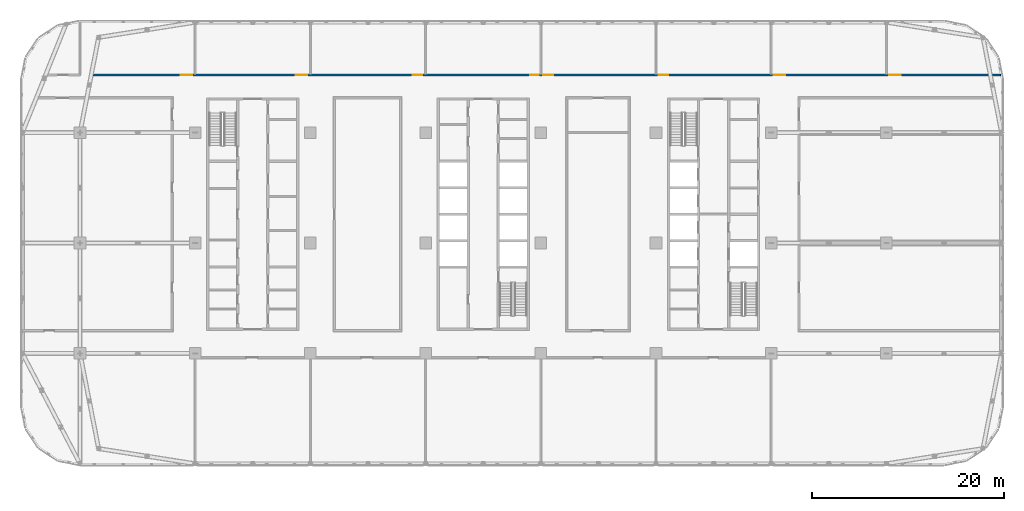
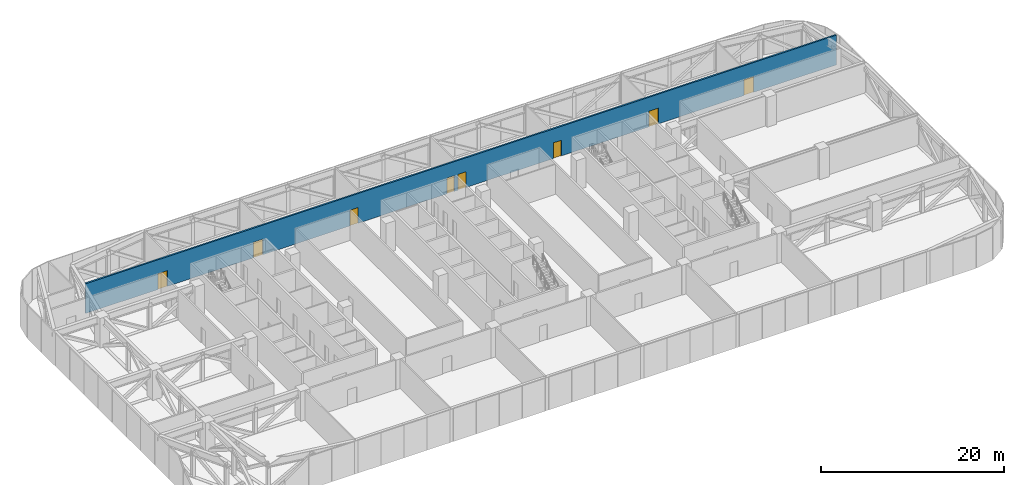
# One storey, part 11 of 26: 8 doors, 1 wall, 8 openings.
"""IFC4 building model written with IfcOpenShell, lengths in metres."""

from ifc_helpers import new_model, si_unit, direction, frame, frame_2d, origin, place, context, subcontext, project, spatial, rectangle, extrude, material, layer, layer_set, type_object, element, fill, save


model = new_model("IFC4")

# Units and contexts
model_context = context("Model", 3, precision=1e-05, world=origin(), true_north=direction((0.0, 1.0)))
body_context = subcontext(model_context, "Body", "Model", "MODEL_VIEW")
ifc_project = project(units=[si_unit("LENGTHUNIT", "METRE"), si_unit("AREAUNIT", "SQUARE_METRE"), si_unit("VOLUMEUNIT", "CUBIC_METRE"), si_unit("PLANEANGLEUNIT", "RADIAN"), si_unit("MASSUNIT", "GRAM", prefix="KILO")], contexts=[model_context])

# Site, building, storey
site_placement = place(None, origin())
site = spatial("IfcSite", under=ifc_project, at=site_placement, CompositionType="ELEMENT")
building_placement = place(site_placement, origin())
building = spatial("IfcBuilding", under=site, at=building_placement, Name="Mahtab Terrace Research Tower", CompositionType="ELEMENT")
storey_placement = place(building_placement, frame((0.0, 0.0, 189.60009765625)))
storey = spatial("IfcBuildingStorey", under=building, at=storey_placement, Name="L45", CompositionType="ELEMENT", Elevation=189.60009765625)

# Wall, openings, doors
ifc_material_1 = material(Name="Gypsum board corridor wall on steel studs", Category="steel")
ifc_layer = layer(ifc_material_1, 0.199951171875)
ifc_layer_set = layer_set([ifc_layer], Name="WALL CORRIDOR 200")
wall_type = type_object("IfcWallType", Name="WALL CORRIDOR 200", PredefinedType="PARTITIONING", material=ifc_layer_set)
wall_placement = place(storey_placement, frame((-40.62353515625, 17.5, 0.0), z_axis=(0.0, 0.0, 1.0), x_axis=(1.0, 0.0, 0.0)))
wall = element("IfcWall", 1, at=wall_placement, inside=storey, type_object=wall_type, Name="L45-W024", PredefinedType="PARTITIONING", context=body_context, shape_type="SweptSolid", body=[
    extrude(rectangle(XDim=94.52392578125, YDim=0.199951171875, at=frame_2d((47.261962890625, 0.0))), origin(), (0.0, 0.0, 1.0), 3.9599609375),
])
opening_1_placement = place(wall_placement, frame((9.10009765625, 0.0, 0.0)))
opening_1 = element("IfcOpeningElement", 2, at=opening_1_placement, cuts=wall, Name="Opening L45-118", PredefinedType="OPENING", context=body_context, shape_type="SweptSolid", body=[
    extrude(rectangle(XDim=1.199951171875, YDim=2.10009765625, at=frame_2d((0.60009765625, 1.050048828125))), frame((0.0, 0.10986328125, 0.0), z_axis=(0.0, -1.0, 0.0), x_axis=(1.0, 0.0, 0.0)), (0.0, 0.0, 1.0), 0.219970703125),
])
opening_2_placement = place(wall_placement, frame((21.10009765625, 0.0, 0.0)))
opening_2 = element("IfcOpeningElement", 3, at=opening_2_placement, cuts=wall, Name="Opening L45-119", PredefinedType="OPENING", context=body_context, shape_type="SweptSolid", body=[
    extrude(rectangle(XDim=1.199951171875, YDim=2.10009765625, at=frame_2d((0.60009765625, 1.050048828125))), frame((0.0, 0.10986328125, 0.0), z_axis=(0.0, -1.0, 0.0), x_axis=(1.0, 0.0, 0.0)), (0.0, 0.0, 1.0), 0.219970703125),
])
opening_3_placement = place(wall_placement, frame((33.300048828125, 0.0, 0.0)))
opening_3 = element("IfcOpeningElement", 4, at=opening_3_placement, cuts=wall, Name="Opening L45-120", PredefinedType="OPENING", context=body_context, shape_type="SweptSolid", body=[
    extrude(rectangle(XDim=1.0, YDim=2.10009765625, at=frame_2d((0.5, 1.050048828125))), frame((0.0, 0.10986328125, 0.0), z_axis=(0.0, -1.0, 0.0), x_axis=(1.0, 0.0, 0.0)), (0.0, 0.0, 1.0), 0.219970703125),
])
opening_4_placement = place(wall_placement, frame((45.5, 0.0, 0.0)))
opening_4 = element("IfcOpeningElement", 5, at=opening_4_placement, cuts=wall, Name="Opening L45-121", PredefinedType="OPENING", context=body_context, shape_type="SweptSolid", body=[
    extrude(rectangle(XDim=0.89990234375, YDim=2.10009765625, at=frame_2d((0.449951171875, 1.050048828125))), frame((0.0, 0.10986328125, 0.0), z_axis=(0.0, -1.0, 0.0), x_axis=(1.0, 0.0, 0.0)), (0.0, 0.0, 1.0), 0.219970703125),
])
opening_5_placement = place(wall_placement, frame((46.89990234375, 0.0, 0.0)))
opening_5 = element("IfcOpeningElement", 6, at=opening_5_placement, cuts=wall, Name="Opening L45-122", PredefinedType="OPENING", context=body_context, shape_type="SweptSolid", body=[
    extrude(rectangle(XDim=1.0, YDim=2.10009765625, at=frame_2d((0.5, 1.050048828125))), frame((0.0, 0.10986328125, 0.0), z_axis=(0.0, -1.0, 0.0), x_axis=(1.0, 0.0, 0.0)), (0.0, 0.0, 1.0), 0.219970703125),
])
opening_6_placement = place(wall_placement, frame((58.89990234375, 0.0, 0.0)))
opening_6 = element("IfcOpeningElement", 7, at=opening_6_placement, cuts=wall, Name="Opening L45-123", PredefinedType="OPENING", context=body_context, shape_type="SweptSolid", body=[
    extrude(rectangle(XDim=1.0, YDim=2.10009765625, at=frame_2d((0.5, 1.050048828125))), frame((0.0, 0.10986328125, 0.0), z_axis=(0.0, -1.0, 0.0), x_axis=(1.0, 0.0, 0.0)), (0.0, 0.0, 1.0), 0.219970703125),
])
opening_7_placement = place(wall_placement, frame((70.89990234375, 0.0, 0.0)))
opening_7 = element("IfcOpeningElement", 8, at=opening_7_placement, cuts=wall, Name="Opening L45-124", PredefinedType="OPENING", context=body_context, shape_type="SweptSolid", body=[
    extrude(rectangle(XDim=1.199951171875, YDim=2.10009765625, at=frame_2d((0.60009765625, 1.050048828125))), frame((0.0, 0.10986328125, 0.0), z_axis=(0.0, -1.0, 0.0), x_axis=(1.0, 0.0, 0.0)), (0.0, 0.0, 1.0), 0.219970703125),
])
opening_8_placement = place(wall_placement, frame((82.89990234375, 0.0, 0.0)))
opening_8 = element("IfcOpeningElement", 9, at=opening_8_placement, cuts=wall, Name="Opening L45-125", PredefinedType="OPENING", context=body_context, shape_type="SweptSolid", body=[
    extrude(rectangle(XDim=1.199951171875, YDim=2.10009765625, at=frame_2d((0.60009765625, 1.050048828125))), frame((0.0, 0.10986328125, 0.0), z_axis=(0.0, -1.0, 0.0), x_axis=(1.0, 0.0, 0.0)), (0.0, 0.0, 1.0), 0.219970703125),
])
ifc_material_2 = material(Name="Timber door leaf in steel frame", Category="steel")
door_type_1 = type_object("IfcDoorType", Name="DOOR 0900X2100 FD30S", OperationType="SINGLE_SWING_LEFT", PredefinedType="DOOR", material=ifc_material_2)
door_1_placement = place(opening_4_placement, origin())
door_1 = element("IfcDoor", 10, at=door_1_placement, inside=storey, type_object=door_type_1, Name="Door L45-121", OperationType="SINGLE_SWING_LEFT", OverallHeight=2.10009765625, OverallWidth=0.89990234375, PredefinedType="DOOR", context=body_context, shape_type="SweptSolid", body=[
    extrude(rectangle(XDim=0.89990234375, YDim=2.10009765625, at=frame_2d((0.449951171875, 1.050048828125))), frame((0.0, 0.02490234375, 0.0), z_axis=(0.0, -1.0, 0.0), x_axis=(1.0, 0.0, 0.0)), (0.0, 0.0, 1.0), 0.050048828125),
])
fill(opening_4, door_1)
door_type_2 = type_object("IfcDoorType", Name="DOOR 1000X2100 FD30S", OperationType="SINGLE_SWING_LEFT", PredefinedType="DOOR", material=ifc_material_2)
door_2_placement = place(opening_3_placement, origin())
door_2 = element("IfcDoor", 11, at=door_2_placement, inside=storey, type_object=door_type_2, Name="Door L45-120", OperationType="SINGLE_SWING_LEFT", OverallHeight=2.10009765625, OverallWidth=1.0, PredefinedType="DOOR", context=body_context, shape_type="SweptSolid", body=[
    extrude(rectangle(XDim=1.0, YDim=2.10009765625, at=frame_2d((0.5, 1.050048828125))), frame((0.0, 0.02490234375, 0.0), z_axis=(0.0, -1.0, 0.0), x_axis=(1.0, 0.0, 0.0)), (0.0, 0.0, 1.0), 0.050048828125),
])
fill(opening_3, door_2)
door_3_placement = place(opening_5_placement, origin())
door_3 = element("IfcDoor", 12, at=door_3_placement, inside=storey, type_object=door_type_2, Name="Door L45-122", OperationType="SINGLE_SWING_RIGHT", OverallHeight=2.10009765625, OverallWidth=1.0, PredefinedType="DOOR", context=body_context, shape_type="SweptSolid", body=[
    extrude(rectangle(XDim=1.0, YDim=2.10009765625, at=frame_2d((0.5, 1.050048828125))), frame((0.0, 0.02490234375, 0.0), z_axis=(0.0, -1.0, 0.0), x_axis=(1.0, 0.0, 0.0)), (0.0, 0.0, 1.0), 0.050048828125),
])
fill(opening_5, door_3)
door_4_placement = place(opening_6_placement, origin())
door_4 = element("IfcDoor", 13, at=door_4_placement, inside=storey, type_object=door_type_2, Name="Door L45-123", OperationType="SINGLE_SWING_RIGHT", OverallHeight=2.10009765625, OverallWidth=1.0, PredefinedType="DOOR", context=body_context, shape_type="SweptSolid", body=[
    extrude(rectangle(XDim=1.0, YDim=2.10009765625, at=frame_2d((0.5, 1.050048828125))), frame((0.0, 0.02490234375, 0.0), z_axis=(0.0, -1.0, 0.0), x_axis=(1.0, 0.0, 0.0)), (0.0, 0.0, 1.0), 0.050048828125),
])
fill(opening_6, door_4)
door_type_3 = type_object("IfcDoorType", Name="DOOR 1200X2100 FD30S", OperationType="SINGLE_SWING_LEFT", PredefinedType="DOOR", material=ifc_material_2)
door_5_placement = place(opening_1_placement, origin())
door_5 = element("IfcDoor", 14, at=door_5_placement, inside=storey, type_object=door_type_3, Name="Door L45-118", OperationType="SINGLE_SWING_LEFT", OverallHeight=2.10009765625, OverallWidth=1.199951171875, PredefinedType="DOOR", context=body_context, shape_type="SweptSolid", body=[
    extrude(rectangle(XDim=1.199951171875, YDim=2.10009765625, at=frame_2d((0.60009765625, 1.050048828125))), frame((0.0, 0.02490234375, 0.0), z_axis=(0.0, -1.0, 0.0), x_axis=(1.0, 0.0, 0.0)), (0.0, 0.0, 1.0), 0.050048828125),
])
fill(opening_1, door_5)
door_6_placement = place(opening_2_placement, origin())
door_6 = element("IfcDoor", 15, at=door_6_placement, inside=storey, type_object=door_type_3, Name="Door L45-119", OperationType="SINGLE_SWING_LEFT", OverallHeight=2.10009765625, OverallWidth=1.199951171875, PredefinedType="DOOR", context=body_context, shape_type="SweptSolid", body=[
    extrude(rectangle(XDim=1.199951171875, YDim=2.10009765625, at=frame_2d((0.60009765625, 1.050048828125))), frame((0.0, 0.02490234375, 0.0), z_axis=(0.0, -1.0, 0.0), x_axis=(1.0, 0.0, 0.0)), (0.0, 0.0, 1.0), 0.050048828125),
])
fill(opening_2, door_6)
door_7_placement = place(opening_7_placement, origin())
door_7 = element("IfcDoor", 16, at=door_7_placement, inside=storey, type_object=door_type_3, Name="Door L45-124", OperationType="SINGLE_SWING_RIGHT", OverallHeight=2.10009765625, OverallWidth=1.199951171875, PredefinedType="DOOR", context=body_context, shape_type="SweptSolid", body=[
    extrude(rectangle(XDim=1.199951171875, YDim=2.10009765625, at=frame_2d((0.60009765625, 1.050048828125))), frame((0.0, 0.02490234375, 0.0), z_axis=(0.0, -1.0, 0.0), x_axis=(1.0, 0.0, 0.0)), (0.0, 0.0, 1.0), 0.050048828125),
])
fill(opening_7, door_7)
door_8_placement = place(opening_8_placement, origin())
door_8 = element("IfcDoor", 17, at=door_8_placement, inside=storey, type_object=door_type_3, Name="Door L45-125", OperationType="SINGLE_SWING_RIGHT", OverallHeight=2.10009765625, OverallWidth=1.199951171875, PredefinedType="DOOR", context=body_context, shape_type="SweptSolid", body=[
    extrude(rectangle(XDim=1.199951171875, YDim=2.10009765625, at=frame_2d((0.60009765625, 1.050048828125))), frame((0.0, 0.02490234375, 0.0), z_axis=(0.0, -1.0, 0.0), x_axis=(1.0, 0.0, 0.0)), (0.0, 0.0, 1.0), 0.050048828125),
])
fill(opening_8, door_8)

save(model, "model.ifc")
